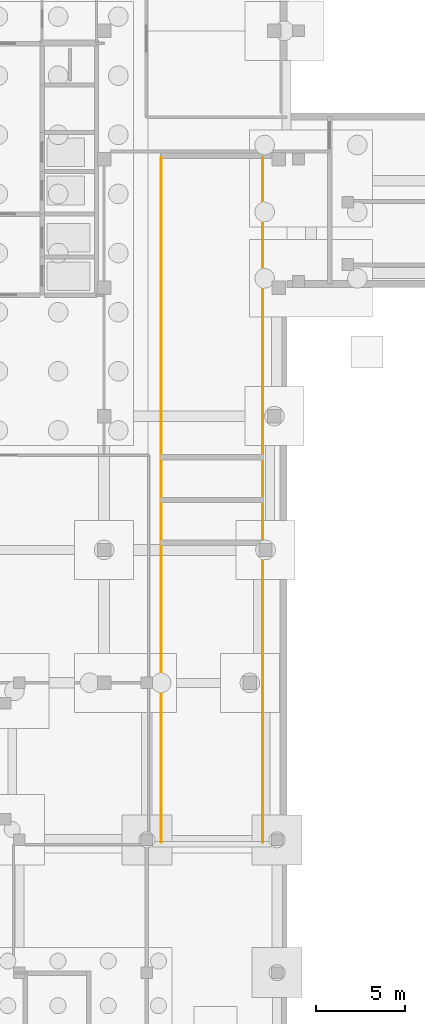
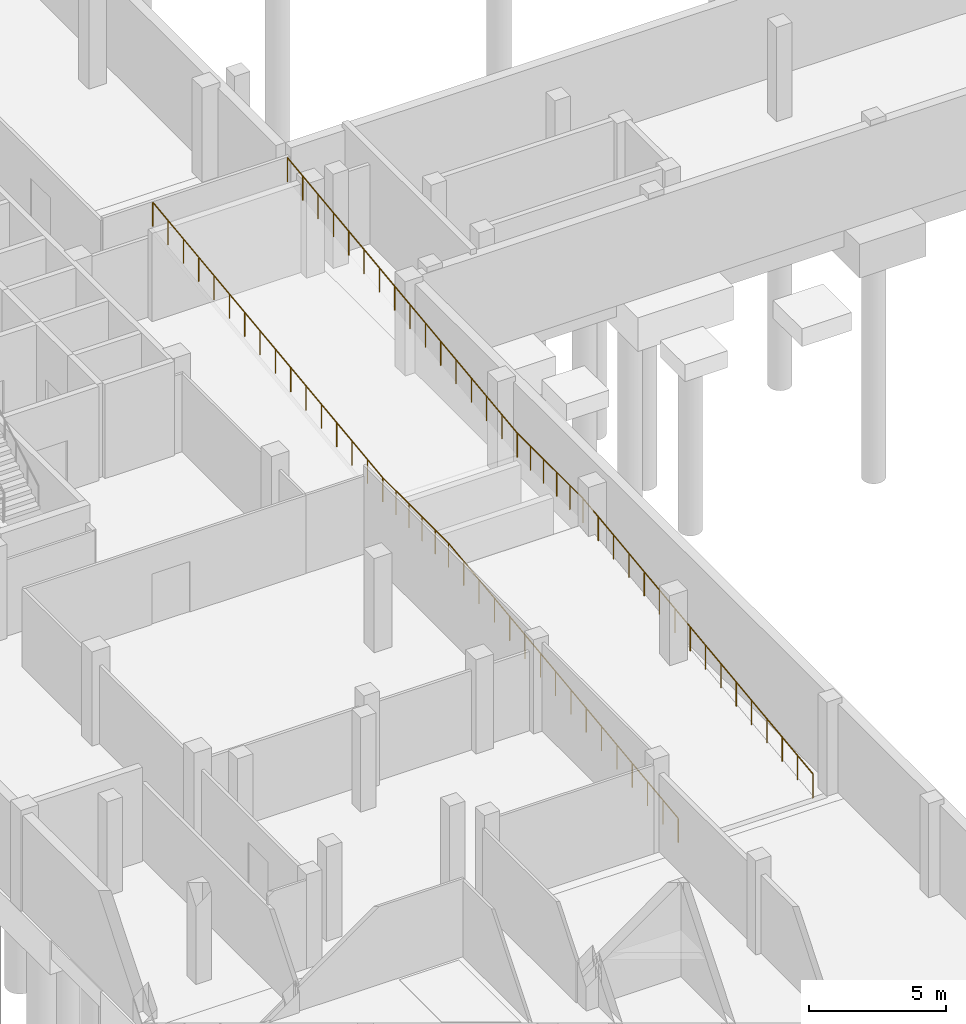
# One storey, part 18 of 21: 2 railings.
"""IFC4 building model written with IfcOpenShell, lengths in metres."""

from ifc_helpers import new_model, si_unit, direction, frame, origin, origin_2d, place, context, subcontext, project, spatial, circle, extrude, material, type_object, element, save


model = new_model("IFC4")

# Units and contexts
model_context = context("Model", 3, precision=1e-05, world=origin(), true_north=direction((0.0, 1.0)))
body_context = subcontext(model_context, "Body", "Model", "MODEL_VIEW")
ifc_project = project(units=[si_unit("LENGTHUNIT", "METRE"), si_unit("AREAUNIT", "SQUARE_METRE"), si_unit("VOLUMEUNIT", "CUBIC_METRE"), si_unit("PLANEANGLEUNIT", "RADIAN"), si_unit("MASSUNIT", "GRAM", prefix="KILO")], contexts=[model_context])

# Site, building, storey
site_placement = place(None, origin())
site = spatial("IfcSite", under=ifc_project, at=site_placement, CompositionType="ELEMENT")
building_placement = place(site_placement, origin())
building = spatial("IfcBuilding", under=site, at=building_placement, Name="Quillay Park Conservatory", CompositionType="ELEMENT")
storey_placement = place(building_placement, frame((0.0, 0.0, -8.39990234375)))
storey = spatial("IfcBuildingStorey", under=building, at=storey_placement, Name="B2", CompositionType="ELEMENT", Elevation=-8.39990234375)

# Railings
ifc_material = material(Name="Steel S355J2H", Category="steel")
railing_type = type_object("IfcRailingType", Name="TERRACE PERIMETER GUARDRAIL 1100", PredefinedType="GUARDRAIL", material=ifc_material)
railing_1_placement = place(storey_placement, frame((22.9599609375, 92.5, 4.199951171875)))
element("IfcRailing", 1, at=railing_1_placement, inside=storey, type_object=railing_type, Name="B2 Perimeter Safety Guardrail 049", PredefinedType="GUARDRAIL", context=body_context, shape_type="SweptSolid", body=[
    extrude(circle(Radius=0.02392578125, at=origin_2d()), frame((0.0, 0.0, 1.076171875), z_axis=(0.0, -0.992277211165, -0.124040058862), x_axis=(1.0, 0.0, 0.0)), (0.0, 0.0, 1.0), 16.930908203125),
    extrude(circle(Radius=0.02392578125, at=origin_2d()), frame((0.0, -16.800048828125, -1.02392578125), z_axis=(0.0, -1.0, 0.0), x_axis=(1.0, 0.0, 0.0)), (0.0, 0.0, 1.0), 4.800048828125),
    extrude(circle(Radius=0.02392578125, at=origin_2d()), frame((0.0, -21.60009765625, -1.02392578125), z_axis=(0.0, -0.992278764082, -0.12402763544), x_axis=(1.0, 0.0, 0.0)), (0.0, 0.0, 1.0), 16.930419921875),
    extrude(circle(Radius=0.02099609375, at=origin_2d()), origin(), (0.0, 0.0, 1.0), 1.052001953125),
    extrude(circle(Radius=0.02099609375, at=origin_2d()), frame((0.0, -1.1201171875, -0.139892578125)), (0.0, 0.0, 1.0), 1.052001953125),
    extrude(circle(Radius=0.02099609375, at=origin_2d()), frame((0.0, -2.239990234375, -0.280029296875)), (0.0, 0.0, 1.0), 1.052001953125),
    extrude(circle(Radius=0.02099609375, at=origin_2d()), frame((0.0, -3.360107421875, -0.419921875)), (0.0, 0.0, 1.0), 1.052001953125),
    extrude(circle(Radius=0.02099609375, at=origin_2d()), frame((0.0, -4.47998046875, -0.56005859375)), (0.0, 0.0, 1.0), 1.052001953125),
    extrude(circle(Radius=0.02099609375, at=origin_2d()), frame((0.0, -5.60009765625, -0.699951171875)), (0.0, 0.0, 1.0), 1.052001953125),
    extrude(circle(Radius=0.02099609375, at=origin_2d()), frame((0.0, -6.719970703125, -0.840087890625)), (0.0, 0.0, 1.0), 1.052001953125),
    extrude(circle(Radius=0.02099609375, at=origin_2d()), frame((0.0, -7.840087890625, -0.97998046875)), (0.0, 0.0, 1.0), 1.052001953125),
    extrude(circle(Radius=0.02099609375, at=origin_2d()), frame((0.0, -8.9599609375, -1.1201171875)), (0.0, 0.0, 1.0), 1.052001953125),
    extrude(circle(Radius=0.02099609375, at=origin_2d()), frame((0.0, -10.080078125, -1.260009765625)), (0.0, 0.0, 1.0), 1.052001953125),
    extrude(circle(Radius=0.02099609375, at=origin_2d()), frame((0.0, -11.199951171875, -1.400146484375)), (0.0, 0.0, 1.0), 1.052001953125),
    extrude(circle(Radius=0.02099609375, at=origin_2d()), frame((0.0, -12.320068359375, -1.5400390625)), (0.0, 0.0, 1.0), 1.052001953125),
    extrude(circle(Radius=0.02099609375, at=origin_2d()), frame((0.0, -13.43994140625, -1.68017578125)), (0.0, 0.0, 1.0), 1.052001953125),
    extrude(circle(Radius=0.02099609375, at=origin_2d()), frame((0.0, -14.56005859375, -1.820068359375)), (0.0, 0.0, 1.0), 1.052001953125),
    extrude(circle(Radius=0.02099609375, at=origin_2d()), frame((0.0, -15.679931640625, -1.960205078125)), (0.0, 0.0, 1.0), 1.052001953125),
    extrude(circle(Radius=0.02099609375, at=origin_2d()), frame((0.0, -16.800048828125, -2.10009765625)), (0.0, 0.0, 1.0), 1.052001953125),
    extrude(circle(Radius=0.02099609375, at=origin_2d()), frame((0.0, -17.760009765625, -2.10009765625)), (0.0, 0.0, 1.0), 1.052001953125),
    extrude(circle(Radius=0.02099609375, at=origin_2d()), frame((0.0, -18.719970703125, -2.10009765625)), (0.0, 0.0, 1.0), 1.052001953125),
    extrude(circle(Radius=0.02099609375, at=origin_2d()), frame((0.0, -19.68017578125, -2.10009765625)), (0.0, 0.0, 1.0), 1.052001953125),
    extrude(circle(Radius=0.02099609375, at=origin_2d()), frame((0.0, -20.64013671875, -2.10009765625)), (0.0, 0.0, 1.0), 1.052001953125),
    extrude(circle(Radius=0.02099609375, at=origin_2d()), frame((0.0, -21.60009765625, -2.10009765625)), (0.0, 0.0, 1.0), 1.052001953125),
    extrude(circle(Radius=0.02099609375, at=origin_2d()), frame((0.0, -22.719970703125, -2.239990234375)), (0.0, 0.0, 1.0), 1.052001953125),
    extrude(circle(Radius=0.02099609375, at=origin_2d()), frame((0.0, -23.840087890625, -2.380126953125)), (0.0, 0.0, 1.0), 1.052001953125),
    extrude(circle(Radius=0.02099609375, at=origin_2d()), frame((0.0, -24.9599609375, -2.52001953125)), (0.0, 0.0, 1.0), 1.052001953125),
    extrude(circle(Radius=0.02099609375, at=origin_2d()), frame((0.0, -26.080078125, -2.66015625)), (0.0, 0.0, 1.0), 1.052001953125),
    extrude(circle(Radius=0.02099609375, at=origin_2d()), frame((0.0, -27.199951171875, -2.800048828125)), (0.0, 0.0, 1.0), 1.052001953125),
    extrude(circle(Radius=0.02099609375, at=origin_2d()), frame((0.0, -28.320068359375, -2.93994140625)), (0.0, 0.0, 1.0), 1.052001953125),
    extrude(circle(Radius=0.02099609375, at=origin_2d()), frame((0.0, -29.43994140625, -3.080078125)), (0.0, 0.0, 1.0), 1.052001953125),
    extrude(circle(Radius=0.02099609375, at=origin_2d()), frame((0.0, -30.56005859375, -3.219970703125)), (0.0, 0.0, 1.0), 1.052001953125),
    extrude(circle(Radius=0.02099609375, at=origin_2d()), frame((0.0, -31.679931640625, -3.360107421875)), (0.0, 0.0, 1.0), 1.052001953125),
    extrude(circle(Radius=0.02099609375, at=origin_2d()), frame((0.0, -32.800048828125, -3.5)), (0.0, 0.0, 1.0), 1.052001953125),
    extrude(circle(Radius=0.02099609375, at=origin_2d()), frame((0.0, -33.919921875, -3.639892578125)), (0.0, 0.0, 1.0), 1.052001953125),
    extrude(circle(Radius=0.02099609375, at=origin_2d()), frame((0.0, -35.0400390625, -3.780029296875)), (0.0, 0.0, 1.0), 1.052001953125),
    extrude(circle(Radius=0.02099609375, at=origin_2d()), frame((0.0, -36.159912109375, -3.919921875)), (0.0, 0.0, 1.0), 1.052001953125),
    extrude(circle(Radius=0.02099609375, at=origin_2d()), frame((0.0, -37.280029296875, -4.06005859375)), (0.0, 0.0, 1.0), 1.052001953125),
    extrude(circle(Radius=0.02099609375, at=origin_2d()), frame((0.0, -38.39990234375, -4.199951171875)), (0.0, 0.0, 1.0), 1.052001953125),
])
railing_2_placement = place(storey_placement, frame((28.639892578125, 92.5, 4.199951171875)))
element("IfcRailing", 2, at=railing_2_placement, inside=storey, type_object=railing_type, Name="B2 Perimeter Safety Guardrail 050", PredefinedType="GUARDRAIL", context=body_context, shape_type="SweptSolid", body=[
    extrude(circle(Radius=0.02392578125, at=origin_2d()), frame((0.0, 0.0, 1.076171875), z_axis=(0.0, -0.992277211165, -0.124040058862), x_axis=(1.0, 0.0, 0.0)), (0.0, 0.0, 1.0), 16.930908203125),
    extrude(circle(Radius=0.02392578125, at=origin_2d()), frame((0.0, -16.800048828125, -1.02392578125), z_axis=(0.0, -1.0, 0.0), x_axis=(1.0, 0.0, 0.0)), (0.0, 0.0, 1.0), 4.800048828125),
    extrude(circle(Radius=0.02392578125, at=origin_2d()), frame((0.0, -21.60009765625, -1.02392578125), z_axis=(0.0, -0.992278764082, -0.12402763544), x_axis=(1.0, 0.0, 0.0)), (0.0, 0.0, 1.0), 16.930419921875),
    extrude(circle(Radius=0.02099609375, at=origin_2d()), origin(), (0.0, 0.0, 1.0), 1.052001953125),
    extrude(circle(Radius=0.02099609375, at=origin_2d()), frame((0.0, -1.1201171875, -0.139892578125)), (0.0, 0.0, 1.0), 1.052001953125),
    extrude(circle(Radius=0.02099609375, at=origin_2d()), frame((0.0, -2.239990234375, -0.280029296875)), (0.0, 0.0, 1.0), 1.052001953125),
    extrude(circle(Radius=0.02099609375, at=origin_2d()), frame((0.0, -3.360107421875, -0.419921875)), (0.0, 0.0, 1.0), 1.052001953125),
    extrude(circle(Radius=0.02099609375, at=origin_2d()), frame((0.0, -4.47998046875, -0.56005859375)), (0.0, 0.0, 1.0), 1.052001953125),
    extrude(circle(Radius=0.02099609375, at=origin_2d()), frame((0.0, -5.60009765625, -0.699951171875)), (0.0, 0.0, 1.0), 1.052001953125),
    extrude(circle(Radius=0.02099609375, at=origin_2d()), frame((0.0, -6.719970703125, -0.840087890625)), (0.0, 0.0, 1.0), 1.052001953125),
    extrude(circle(Radius=0.02099609375, at=origin_2d()), frame((0.0, -7.840087890625, -0.97998046875)), (0.0, 0.0, 1.0), 1.052001953125),
    extrude(circle(Radius=0.02099609375, at=origin_2d()), frame((0.0, -8.9599609375, -1.1201171875)), (0.0, 0.0, 1.0), 1.052001953125),
    extrude(circle(Radius=0.02099609375, at=origin_2d()), frame((0.0, -10.080078125, -1.260009765625)), (0.0, 0.0, 1.0), 1.052001953125),
    extrude(circle(Radius=0.02099609375, at=origin_2d()), frame((0.0, -11.199951171875, -1.400146484375)), (0.0, 0.0, 1.0), 1.052001953125),
    extrude(circle(Radius=0.02099609375, at=origin_2d()), frame((0.0, -12.320068359375, -1.5400390625)), (0.0, 0.0, 1.0), 1.052001953125),
    extrude(circle(Radius=0.02099609375, at=origin_2d()), frame((0.0, -13.43994140625, -1.68017578125)), (0.0, 0.0, 1.0), 1.052001953125),
    extrude(circle(Radius=0.02099609375, at=origin_2d()), frame((0.0, -14.56005859375, -1.820068359375)), (0.0, 0.0, 1.0), 1.052001953125),
    extrude(circle(Radius=0.02099609375, at=origin_2d()), frame((0.0, -15.679931640625, -1.960205078125)), (0.0, 0.0, 1.0), 1.052001953125),
    extrude(circle(Radius=0.02099609375, at=origin_2d()), frame((0.0, -16.800048828125, -2.10009765625)), (0.0, 0.0, 1.0), 1.052001953125),
    extrude(circle(Radius=0.02099609375, at=origin_2d()), frame((0.0, -17.760009765625, -2.10009765625)), (0.0, 0.0, 1.0), 1.052001953125),
    extrude(circle(Radius=0.02099609375, at=origin_2d()), frame((0.0, -18.719970703125, -2.10009765625)), (0.0, 0.0, 1.0), 1.052001953125),
    extrude(circle(Radius=0.02099609375, at=origin_2d()), frame((0.0, -19.68017578125, -2.10009765625)), (0.0, 0.0, 1.0), 1.052001953125),
    extrude(circle(Radius=0.02099609375, at=origin_2d()), frame((0.0, -20.64013671875, -2.10009765625)), (0.0, 0.0, 1.0), 1.052001953125),
    extrude(circle(Radius=0.02099609375, at=origin_2d()), frame((0.0, -21.60009765625, -2.10009765625)), (0.0, 0.0, 1.0), 1.052001953125),
    extrude(circle(Radius=0.02099609375, at=origin_2d()), frame((0.0, -22.719970703125, -2.239990234375)), (0.0, 0.0, 1.0), 1.052001953125),
    extrude(circle(Radius=0.02099609375, at=origin_2d()), frame((0.0, -23.840087890625, -2.380126953125)), (0.0, 0.0, 1.0), 1.052001953125),
    extrude(circle(Radius=0.02099609375, at=origin_2d()), frame((0.0, -24.9599609375, -2.52001953125)), (0.0, 0.0, 1.0), 1.052001953125),
    extrude(circle(Radius=0.02099609375, at=origin_2d()), frame((0.0, -26.080078125, -2.66015625)), (0.0, 0.0, 1.0), 1.052001953125),
    extrude(circle(Radius=0.02099609375, at=origin_2d()), frame((0.0, -27.199951171875, -2.800048828125)), (0.0, 0.0, 1.0), 1.052001953125),
    extrude(circle(Radius=0.02099609375, at=origin_2d()), frame((0.0, -28.320068359375, -2.93994140625)), (0.0, 0.0, 1.0), 1.052001953125),
    extrude(circle(Radius=0.02099609375, at=origin_2d()), frame((0.0, -29.43994140625, -3.080078125)), (0.0, 0.0, 1.0), 1.052001953125),
    extrude(circle(Radius=0.02099609375, at=origin_2d()), frame((0.0, -30.56005859375, -3.219970703125)), (0.0, 0.0, 1.0), 1.052001953125),
    extrude(circle(Radius=0.02099609375, at=origin_2d()), frame((0.0, -31.679931640625, -3.360107421875)), (0.0, 0.0, 1.0), 1.052001953125),
    extrude(circle(Radius=0.02099609375, at=origin_2d()), frame((0.0, -32.800048828125, -3.5)), (0.0, 0.0, 1.0), 1.052001953125),
    extrude(circle(Radius=0.02099609375, at=origin_2d()), frame((0.0, -33.919921875, -3.639892578125)), (0.0, 0.0, 1.0), 1.052001953125),
    extrude(circle(Radius=0.02099609375, at=origin_2d()), frame((0.0, -35.0400390625, -3.780029296875)), (0.0, 0.0, 1.0), 1.052001953125),
    extrude(circle(Radius=0.02099609375, at=origin_2d()), frame((0.0, -36.159912109375, -3.919921875)), (0.0, 0.0, 1.0), 1.052001953125),
    extrude(circle(Radius=0.02099609375, at=origin_2d()), frame((0.0, -37.280029296875, -4.06005859375)), (0.0, 0.0, 1.0), 1.052001953125),
    extrude(circle(Radius=0.02099609375, at=origin_2d()), frame((0.0, -38.39990234375, -4.199951171875)), (0.0, 0.0, 1.0), 1.052001953125),
])

save(model, "model.ifc")
